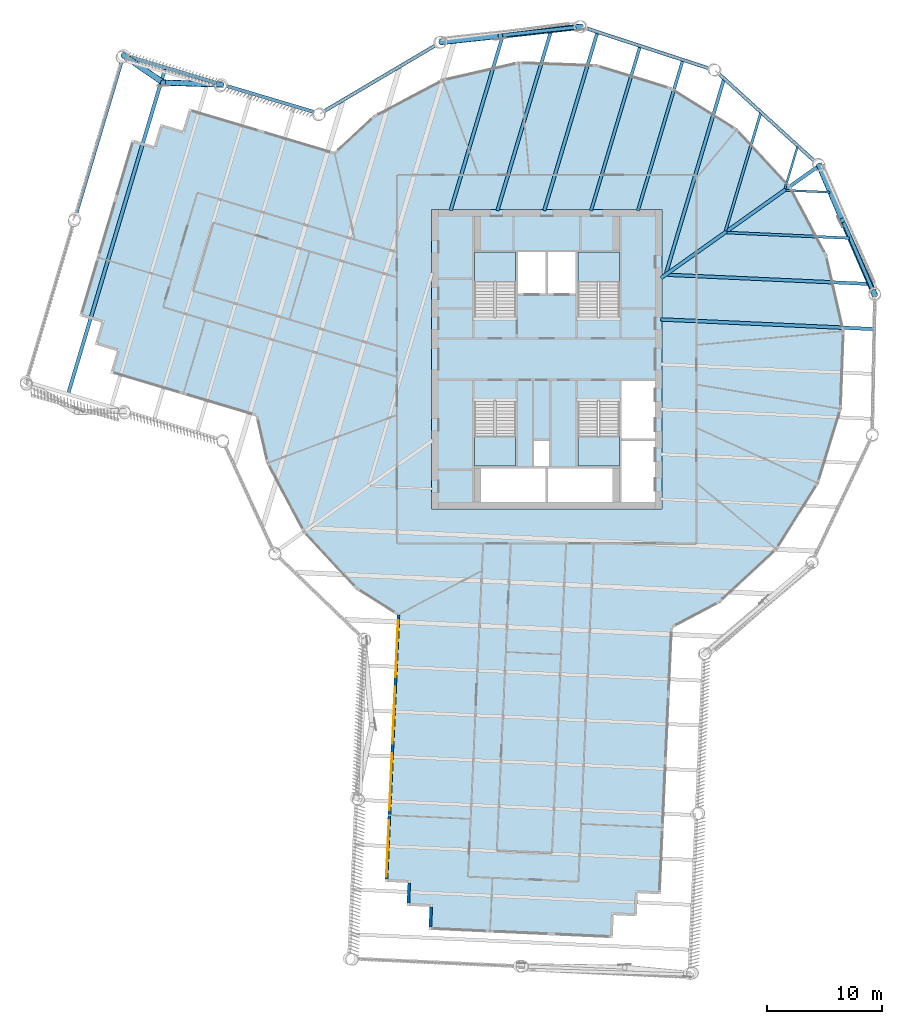
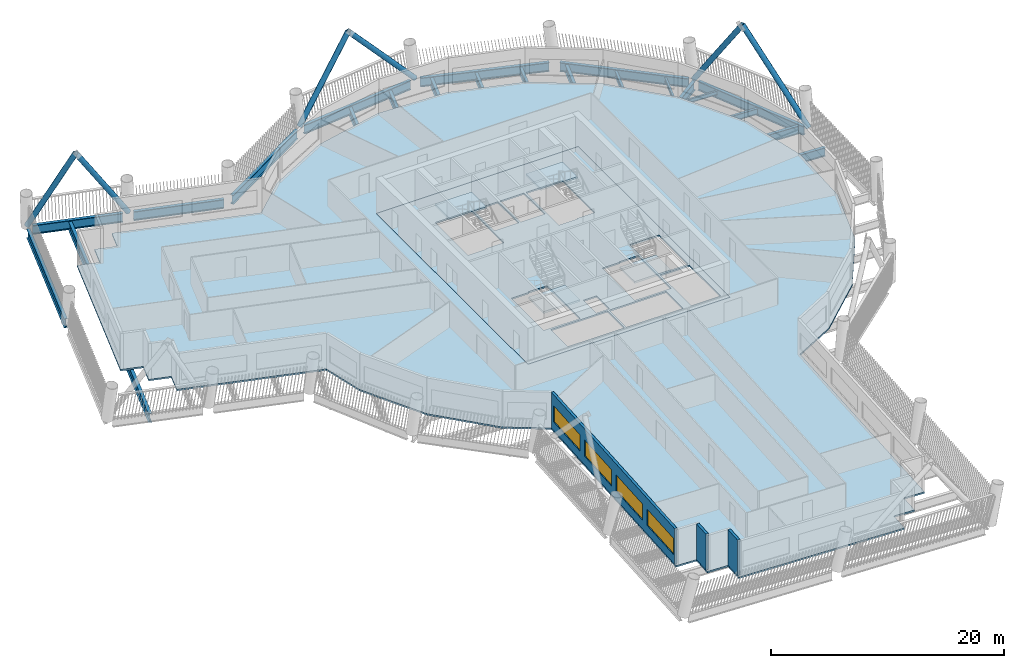
# One storey, part 2 of 24: 22 beams, 6 members, 6 slabs, 4 windows, 3 walls, 4 openings, 4 elements without a shape of their own.
"""IFC4 building model written with IfcOpenShell, lengths in metres."""

from ifc_helpers import new_model, si_unit, direction, frame, frame_2d, origin, origin_2d, place, context, subcontext, project, spatial, polyline, rectangle, hollow_circle, i_section, outline, extrude, material, layer, layer_set, material_profile, profile_set, type_object, element, fill, aggregate, save


model = new_model("IFC4")

# Units and contexts
model_context = context("Model", 3, precision=1e-05, world=origin(), true_north=direction((0.0, 1.0)))
body_context = subcontext(model_context, "Body", "Model", "MODEL_VIEW")
ifc_project = project(units=[si_unit("LENGTHUNIT", "METRE"), si_unit("AREAUNIT", "SQUARE_METRE"), si_unit("VOLUMEUNIT", "CUBIC_METRE"), si_unit("PLANEANGLEUNIT", "RADIAN"), si_unit("MASSUNIT", "GRAM", prefix="KILO")], contexts=[model_context])

# Site, building, storey
site_placement = place(None, origin())
site = spatial("IfcSite", under=ifc_project, at=site_placement, CompositionType="ELEMENT")
building_placement = place(site_placement, origin())
building = spatial("IfcBuilding", under=site, at=building_placement, Name="Tarsis Ring Headquarters", CompositionType="ELEMENT")
storey_placement = place(building_placement, frame((0.0, 0.0, 216.0)))
storey = spatial("IfcBuildingStorey", under=building, at=storey_placement, Name="L50", CompositionType="ELEMENT", Elevation=216.0)

# Beams
ifc_material_1 = material(Name="Structural steel S355", Category="steel")
ifc_material_profile_1 = material_profile(ifc_material_1, i_section(OverallWidth=0.177734375, OverallDepth=0.406494140625, WebThickness=0.0078125, FlangeThickness=0.0126953125, at=origin_2d()), Name="W16x40")
ifc_profile_set_1 = profile_set([ifc_material_profile_1], Name="Structural steel S355")
beam_type_1 = type_object("IfcBeamType", Name="FB Floor beam W16x40", PredefinedType="JOIST", material=ifc_profile_set_1)
beam_1_placement = place(storey_placement, frame((20.8056640625, 14.67138671875, -0.36328125), z_axis=(0.998970655742, -0.045361095286, 0.0), x_axis=(0.045361095286, 0.998970655742, 0.0)))
element("IfcBeam", 1, at=beam_1_placement, inside=storey, type_object=beam_type_1, Name="Floor beam FB1", PredefinedType="JOIST", context=body_context, shape_type="SweptSolid", body=[
    extrude(i_section(OverallWidth=0.177734375, OverallDepth=0.406494140625, WebThickness=0.0078125, FlangeThickness=0.0126953125, at=origin_2d()), origin(), (0.0, 0.0, 1.0), 3.80517578125),
])
beam_2_placement = place(storey_placement, frame((21.78466796875, 18.47021484375, -0.36328125), z_axis=(-0.285693487766, -0.958321048004, 0.0), x_axis=(0.958321048004, -0.285693487766, 0.0)))
element("IfcBeam", 2, at=beam_2_placement, inside=storey, type_object=beam_type_1, Name="Floor beam FB1", PredefinedType="JOIST", context=body_context, shape_type="SweptSolid", body=[
    extrude(i_section(OverallWidth=0.177734375, OverallDepth=0.406494140625, WebThickness=0.0078125, FlangeThickness=0.0126953125, at=origin_2d()), origin(), (0.0, 0.0, 1.0), 3.805419921875),
])
ifc_material_profile_2 = material_profile(ifc_material_1, i_section(OverallWidth=0.228271484375, OverallDepth=0.607177734375, WebThickness=0.01123046875, FlangeThickness=0.017333984375, at=origin_2d()), Name="W24x76")
ifc_profile_set_2 = profile_set([ifc_material_profile_2], Name="Structural steel S355")
beam_type_2 = type_object("IfcBeamType", Name="FB Floor beam W24x76", PredefinedType="JOIST", material=ifc_profile_set_2)
beam_3_placement = place(storey_placement, frame((15.64208984375, 11.001708984375, -0.463623046875), z_axis=(0.998970894463, -0.045355837729, 0.0), x_axis=(0.045355837729, 0.998970894463, 0.0)))
element("IfcBeam", 3, at=beam_3_placement, inside=storey, type_object=beam_type_2, Name="Floor beam FB4", PredefinedType="JOIST", context=body_context, shape_type="SweptSolid", body=[
    extrude(i_section(OverallWidth=0.228271484375, OverallDepth=0.607177734375, WebThickness=0.01123046875, FlangeThickness=0.017333984375, at=origin_2d()), origin(), (0.0, 0.0, 1.0), 10.684814453125),
])
beam_4_placement = place(storey_placement, frame((18.58642578125, 21.393310546875, -0.463623046875), z_axis=(-0.28569136779, -0.958321680006, 0.0), x_axis=(0.958321680006, -0.28569136779, 0.0)))
element("IfcBeam", 4, at=beam_4_placement, inside=storey, type_object=beam_type_2, Name="Floor beam FB4", PredefinedType="JOIST", context=body_context, shape_type="SweptSolid", body=[
    extrude(i_section(OverallWidth=0.228271484375, OverallDepth=0.607177734375, WebThickness=0.01123046875, FlangeThickness=0.017333984375, at=origin_2d()), origin(), (0.0, 0.0, 1.0), 10.6845703125),
])
ifc_material_profile_3 = material_profile(ifc_material_1, i_section(OverallWidth=0.2666015625, OverallDepth=0.7568359375, WebThickness=0.013916015625, FlangeThickness=0.019287109375, at=origin_2d()), Name="W30x108")
ifc_profile_set_3 = profile_set([ifc_material_profile_3], Name="Structural steel S355")
beam_type_3 = type_object("IfcBeamType", Name="FB Floor beam W30x108", PredefinedType="JOIST", material=ifc_profile_set_3)
beam_5_placement = place(storey_placement, frame((11.807861328125, 25.957275390625, -0.538330078125), z_axis=(-0.285689900664, -0.958322117379, 0.0), x_axis=(0.958322117379, -0.285689900664, 0.0)))
element("IfcBeam", 5, at=beam_5_placement, inside=storey, type_object=beam_type_3, Name="Floor beam FB6", PredefinedType="JOIST", context=body_context, shape_type="SweptSolid", body=[
    extrude(i_section(OverallWidth=0.2666015625, OverallDepth=0.7568359375, WebThickness=0.013916015625, FlangeThickness=0.019287109375, at=origin_2d()), origin(), (0.0, 0.0, 1.0), 13.620849609375),
])
beam_6_placement = place(storey_placement, frame((8.099365234375, 27.16845703125, -0.538330078125), z_axis=(-0.285690699387, -0.958321879268, 0.0), x_axis=(0.958321879268, -0.285690699387, 0.0)))
element("IfcBeam", 6, at=beam_6_placement, inside=storey, type_object=beam_type_3, Name="Floor beam FB6", PredefinedType="JOIST", context=body_context, shape_type="SweptSolid", body=[
    extrude(i_section(OverallWidth=0.2666015625, OverallDepth=0.7568359375, WebThickness=0.013916015625, FlangeThickness=0.019287109375, at=origin_2d()), origin(), (0.0, 0.0, 1.0), 14.884765625),
])
ifc_material_profile_4 = material_profile(ifc_material_1, i_section(OverallWidth=0.2919921875, OverallDepth=0.835693359375, WebThickness=0.013916015625, FlangeThickness=0.018798828125, at=origin_2d()), Name="W33x118")
ifc_profile_set_4 = profile_set([ifc_material_profile_4], Name="Structural steel S355")
beam_type_4 = type_object("IfcBeamType", Name="FB Floor beam W33x118", PredefinedType="JOIST", material=ifc_profile_set_4)
beam_7_placement = place(storey_placement, frame((10.478515625, 7.332275390625, -0.577880859375), z_axis=(0.998970287702, -0.045369199781, 0.0), x_axis=(0.045369199781, 0.998970287702, 0.0)))
element("IfcBeam", 7, at=beam_7_placement, inside=storey, type_object=beam_type_4, Name="Floor beam FB7", PredefinedType="JOIST", context=body_context, shape_type="SweptSolid", body=[
    extrude(i_section(OverallWidth=0.2919921875, OverallDepth=0.835693359375, WebThickness=0.013916015625, FlangeThickness=0.018798828125, at=origin_2d()), origin(), (0.0, 0.0, 1.0), 17.564208984375),
])
beam_8_placement = place(storey_placement, frame((15.388427734375, 24.316650390625, -0.577880859375), z_axis=(-0.285696062697, -0.958320280365, 0.0), x_axis=(0.958320280365, -0.285696062697, 0.0)))
element("IfcBeam", 8, at=beam_8_placement, inside=storey, type_object=beam_type_4, Name="Floor beam FB7", PredefinedType="JOIST", context=body_context, shape_type="SweptSolid", body=[
    extrude(i_section(OverallWidth=0.2919921875, OverallDepth=0.835693359375, WebThickness=0.013916015625, FlangeThickness=0.018798828125, at=origin_2d()), origin(), (0.0, 0.0, 1.0), 17.564453125),
])
beam_9_placement = place(storey_placement, frame((4.390625, 28.379638671875, -0.577880859375), z_axis=(-0.285677488604, -0.958325817509, 0.0), x_axis=(0.958325817509, -0.285677488604, 0.0)))
element("IfcBeam", 9, at=beam_9_placement, inside=storey, type_object=beam_type_4, Name="Floor beam FB7", PredefinedType="JOIST", context=body_context, shape_type="SweptSolid", body=[
    extrude(i_section(OverallWidth=0.2919921875, OverallDepth=0.835693359375, WebThickness=0.013916015625, FlangeThickness=0.018798828125, at=origin_2d()), origin(), (0.0, 0.0, 1.0), 16.148681640625),
])
beam_10_placement = place(storey_placement, frame((0.369873046875, 28.54296875, -0.577880859375), z_axis=(-0.285685329847, -0.958323479995, 0.0), x_axis=(0.958323479995, -0.285685329847, 0.0)))
element("IfcBeam", 10, at=beam_10_placement, inside=storey, type_object=beam_type_4, Name="Floor beam FB7", PredefinedType="JOIST", context=body_context, shape_type="SweptSolid", body=[
    extrude(i_section(OverallWidth=0.2919921875, OverallDepth=0.835693359375, WebThickness=0.013916015625, FlangeThickness=0.018798828125, at=origin_2d()), origin(), (0.0, 0.0, 1.0), 16.319091796875),
])
beam_11_placement = place(storey_placement, frame((-3.837158203125, 28.081787109375, -0.577880859375), z_axis=(-0.285687153803, -0.958322936255, 0.0), x_axis=(0.958322936255, -0.285687153803, 0.0)))
element("IfcBeam", 11, at=beam_11_placement, inside=storey, type_object=beam_type_4, Name="Floor beam FB7", PredefinedType="JOIST", context=body_context, shape_type="SweptSolid", body=[
    extrude(i_section(OverallWidth=0.2919921875, OverallDepth=0.835693359375, WebThickness=0.013916015625, FlangeThickness=0.018798828125, at=origin_2d()), origin(), (0.0, 0.0, 1.0), 15.837890625),
])
ifc_material_profile_5 = material_profile(ifc_material_1, i_section(OverallWidth=0.3046875, OverallDepth=0.904296875, WebThickness=0.01513671875, FlangeThickness=0.02001953125, at=origin_2d()), Name="W36x135")
ifc_profile_set_5 = profile_set([ifc_material_profile_5], Name="Structural steel S355")
beam_type_5 = type_object("IfcBeamType", Name="FB Floor beam W36x135", PredefinedType="JOIST", material=ifc_profile_set_5)
beam_12_placement = place(storey_placement, frame((9.900146484375, 3.454345703125, -0.612060546875), z_axis=(0.998970768332, -0.045358615705, 0.0), x_axis=(0.045358615705, 0.998970768332, 0.0)))
element("IfcBeam", 12, at=beam_12_placement, inside=storey, type_object=beam_type_5, Name="Floor beam FB8", PredefinedType="JOIST", context=body_context, shape_type="SweptSolid", body=[
    extrude(i_section(OverallWidth=0.3046875, OverallDepth=0.904296875, WebThickness=0.01513671875, FlangeThickness=0.02001953125, at=origin_2d()), origin(), (0.0, 0.0, 1.0), 18.515625),
])
ifc_material_profile_6 = material_profile(ifc_material_1, i_section(OverallWidth=0.309814453125, OverallDepth=0.949951171875, WebThickness=0.0244140625, FlangeThickness=0.0439453125, at=origin_2d()), Name="W36x256")
ifc_profile_set_6 = profile_set([ifc_material_profile_6], Name="Structural steel S355")
beam_type_6 = type_object("IfcBeamType", Name="FB Floor beam W36x256", PredefinedType="JOIST", material=ifc_profile_set_6)
beam_13_placement = place(storey_placement, frame((-33.162109375, 25.2724609375, -0.635009765625), z_axis=(-0.285688682276, -0.958322480598, 0.0), x_axis=(0.958322480598, -0.285688682276, 0.0)))
element("IfcBeam", 13, at=beam_13_placement, inside=storey, type_object=beam_type_6, Name="Floor beam FB11", PredefinedType="JOIST", context=body_context, shape_type="SweptSolid", body=[
    extrude(i_section(OverallWidth=0.309814453125, OverallDepth=0.949951171875, WebThickness=0.0244140625, FlangeThickness=0.0439453125, at=origin_2d()), origin(), (0.0, 0.0, 1.0), 29.490234375),
])
beam_type_7 = type_object("IfcBeamType", Name="FB Floor beam W36x256 spine", PredefinedType="BEAM", material=ifc_profile_set_6)
beam_14_placement = place(storey_placement, frame((23.630615234375, 16.79345703125, -0.635009765625), z_axis=(-0.815123601212, -0.579287074555, 0.0), x_axis=(0.579287074555, -0.815123601212, 0.0)))
element("IfcBeam", 14, at=beam_14_placement, inside=storey, type_object=beam_type_7, Name="Floor beam SB11", PredefinedType="BEAM", context=body_context, shape_type="SweptSolid", body=[
    extrude(i_section(OverallWidth=0.309814453125, OverallDepth=0.949951171875, WebThickness=0.0244140625, FlangeThickness=0.0439453125, at=origin_2d()), origin(), (0.0, 0.0, 1.0), 16.822265625),
])

# Members
ifc_material_profile_7 = material_profile(ifc_material_1, hollow_circle(Radius=0.25390625, WallThickness=0.02001953125, at=origin_2d()), Name="CHS 508x20")
ifc_profile_set_7 = profile_set([ifc_material_profile_7], Name="Structural steel S355")
member_type = type_object("IfcMemberType", Name="XD X brace CHS 508x20", PredefinedType="BRACE", material=ifc_profile_set_7)
member_1_placement = place(storey_placement, frame((28.50927734375, 5.5712890625, 0.0), z_axis=(-0.266390048383, 0.616816640616, 0.740657528134), x_axis=(-0.918042088689, -0.396482942125, 0.0)))
element("IfcMember", 15, at=member_1_placement, inside=storey, type_object=member_type, Name="X brace XD2", PredefinedType="BRACE", context=body_context, shape_type="SweptSolid", body=[
    extrude(hollow_circle(Radius=0.25390625, WallThickness=0.02001953125, at=origin_2d()), origin(), (0.0, 0.0, 1.0), 10.53125),
])
member_2_placement = place(storey_placement, frame((23.67822265625, 16.8271484375, 0.0), z_axis=(0.216423789329, -0.508571124569, 0.833376358356), x_axis=(0.920147761649, 0.391571317556, 0.0)))
element("IfcMember", 16, at=member_2_placement, inside=storey, type_object=member_type, Name="X brace XD2", PredefinedType="BRACE", context=body_context, shape_type="SweptSolid", body=[
    extrude(hollow_circle(Radius=0.25390625, WallThickness=0.02001953125, at=origin_2d()), origin(), (0.0, 0.0, 1.0), 9.359619140625),
])
member_3_placement = place(storey_placement, frame((2.99365234375, 28.893798828125, 0.0), z_axis=(-0.667720912249, -0.074716678824, 0.740652550965), x_axis=(0.111204029276, -0.993797597035, 0.0)))
element("IfcMember", 17, at=member_3_placement, inside=storey, type_object=member_type, Name="X brace XD2", PredefinedType="BRACE", context=body_context, shape_type="SweptSolid", body=[
    extrude(hollow_circle(Radius=0.25390625, WallThickness=0.02001953125, at=origin_2d()), origin(), (0.0, 0.0, 1.0), 10.53125),
])
member_4_placement = place(storey_placement, frame((-9.182373046875, 27.55908203125, 0.0), z_axis=(0.549600824831, 0.058533661648, 0.833374311938), x_axis=(-0.105903214837, 0.994376442343, 0.0)))
element("IfcMember", 18, at=member_4_placement, inside=storey, type_object=member_type, Name="X brace XD2", PredefinedType="BRACE", context=body_context, shape_type="SweptSolid", body=[
    extrude(hollow_circle(Radius=0.25390625, WallThickness=0.02001953125, at=origin_2d()), origin(), (0.0, 0.0, 1.0), 9.359619140625),
])
member_5_placement = place(storey_placement, frame((-28.2568359375, 23.867431640625, 0.0), z_axis=(-0.54637587969, 0.018005479414, 0.837346523731), x_axis=(-0.032936502401, -0.999457446222, 0.0)))
element("IfcMember", 19, at=member_5_placement, inside=storey, type_object=member_type, Name="X brace XD2", PredefinedType="BRACE", context=body_context, shape_type="SweptSolid", body=[
    extrude(hollow_circle(Radius=0.25390625, WallThickness=0.02001953125, at=origin_2d()), origin(), (0.0, 0.0, 1.0), 9.315185546875),
])
member_6_placement = place(storey_placement, frame((-36.7880859375, 26.41064453125, 0.0), z_axis=(0.388871748666, -0.268406193837, 0.881326771521), x_axis=(0.568046694555, 0.822996326119, 0.0)))
element("IfcMember", 20, at=member_6_placement, inside=storey, type_object=member_type, Name="X brace XD2", PredefinedType="BRACE", context=body_context, shape_type="SweptSolid", body=[
    extrude(hollow_circle(Radius=0.25390625, WallThickness=0.02001953125, at=origin_2d()), origin(), (0.0, 0.0, 1.0), 8.850341796875),
])

# Beams
beam_type_8 = type_object("IfcBeamType", Name="XG Ring girder W36x256", PredefinedType="BEAM", material=ifc_profile_set_6)
for number, where, z_axis, x_axis, name in (
    (21, (28.31982421875, 6.012451171875, -0.47509765625), (-0.394386461305, 0.918944676865, 0.0), (-0.918944676865, -0.394386461305, 0.0), "Ring girder XG2"),
    (22, (23.323974609375, 17.151123046875, -0.47509765625), (-0.738121120276, 0.674668223502, 0.0), (-0.674668223502, -0.738121120276, 0.0), "Ring girder XG2"),
    (23, (14.180908203125, 25.240234375, -0.47509765625), (-0.950588394474, 0.310454029273, 0.0), (-0.310454029273, -0.950588394474, 0.0), "Ring girder XG2"),
):
    element("IfcBeam", number, at=place(storey_placement, frame(where, z_axis=z_axis, x_axis=x_axis)), inside=storey, type_object=beam_type_8, Name=name, PredefinedType="BEAM", context=body_context, shape_type="SweptSolid", body=[
        extrude(i_section(OverallWidth=0.309814453125, OverallDepth=0.949951171875, WebThickness=0.0244140625, FlangeThickness=0.0439453125, at=origin_2d()), origin(), (0.0, 0.0, 1.0), 11.288818359375),
    ])
beam_15_placement = place(storey_placement, frame((2.516357421875, 28.841552734375, -0.47509765625), z_axis=(-0.994044084643, -0.10897870336, 0.0), x_axis=(0.10897870336, -0.994044084643, 0.0)))
element("IfcBeam", 24, at=beam_15_placement, inside=storey, type_object=beam_type_8, Name="Ring girder XG2", PredefinedType="BEAM", context=body_context, shape_type="SweptSolid", body=[
    extrude(i_section(OverallWidth=0.309814453125, OverallDepth=0.949951171875, WebThickness=0.0244140625, FlangeThickness=0.0439453125, at=origin_2d()), origin(), (0.0, 0.0, 1.0), 11.28857421875),
])
beam_16_placement = place(storey_placement, frame((-9.595458984375, 27.314697265625, -0.47509765625), z_axis=(-0.860748227815, -0.509030930605, 0.0), x_axis=(0.509030930605, -0.860748227815, 0.0)))
element("IfcBeam", 25, at=beam_16_placement, inside=storey, type_object=beam_type_8, Name="Ring girder XG2", PredefinedType="BEAM", context=body_context, shape_type="SweptSolid", body=[
    extrude(i_section(OverallWidth=0.309814453125, OverallDepth=0.949951171875, WebThickness=0.0244140625, FlangeThickness=0.0439453125, at=origin_2d()), origin(), (0.0, 0.0, 1.0), 11.288818359375),
])
for number, where, z_axis, x_axis, name in (
    (26, (-20.185546875, 21.461181640625, -0.47509765625), (-0.958319806725, 0.285697651442, 0.0), (-0.285697651442, -0.958319806725, 0.0), "Ring girder XG2"),
    (27, (-28.716796875, 24.004638671875, -0.47509765625), (-0.958328222681, 0.285669420156, 0.0), (-0.285669420156, -0.958328222681, 0.0), "Ring girder XG2"),
):
    element("IfcBeam", number, at=place(storey_placement, frame(where, z_axis=z_axis, x_axis=x_axis)), inside=storey, type_object=beam_type_8, Name=name, PredefinedType="BEAM", context=body_context, shape_type="SweptSolid", body=[
        extrude(i_section(OverallWidth=0.309814453125, OverallDepth=0.949951171875, WebThickness=0.0244140625, FlangeThickness=0.0439453125, at=origin_2d()), origin(), (0.0, 0.0, 1.0), 7.942138671875),
    ])
beam_17_placement = place(storey_placement, frame((-36.925048828125, 25.95068359375, -0.47509765625), z_axis=(-0.285699967033, -0.958319116389, 0.0), x_axis=(0.958319116389, -0.285699967033, 0.0)))
element("IfcBeam", 28, at=beam_17_placement, inside=storey, type_object=beam_type_8, Name="Ring girder XG2", PredefinedType="BEAM", context=body_context, shape_type="SweptSolid", body=[
    extrude(i_section(OverallWidth=0.309814453125, OverallDepth=0.949951171875, WebThickness=0.0244140625, FlangeThickness=0.0439453125, at=origin_2d()), origin(), (0.0, 0.0, 1.0), 13.840087890625),
])

# Slab
ifc_material_2 = material(Name="Concrete C40/50", Category="concrete")
ifc_layer_1 = layer(ifc_material_2, 0.159912109375)
ifc_layer_set_1 = layer_set([ifc_layer_1], Name="Core floor slab 160 C40/50")
slab_type_1 = type_object("IfcSlabType", Name="Core floor slab 160 C40/50", PredefinedType="FLOOR", material=ifc_layer_set_1)
slab_1_placement = place(storey_placement, frame((0.0, 0.0, -0.159912109375)))
element("IfcSlab", 29, at=slab_1_placement, inside=storey, type_object=slab_type_1, Name="L50 core floor slab", PredefinedType="FLOOR", context=body_context, shape_type="SweptSolid", body=[
    extrude(outline(polyline([(-10.0, -13.0), (10.0, -13.0), (10.0, 13.0), (-10.0, 13.0), (-10.0, -13.0)]), holes=[polyline([(-2.5, 5.699951171875), (-0.10009765625, 5.699951171875), (-0.10009765625, 9.300048828125), (-2.5, 9.300048828125), (-2.5, 5.699951171875)]), polyline([(0.10009765625, 5.699951171875), (2.5, 5.699951171875), (2.5, 9.300048828125), (0.10009765625, 9.300048828125), (0.10009765625, 5.699951171875)]), polyline([(6.5, -12.39990234375), (9.39990234375, -12.39990234375), (9.39990234375, -7.10009765625), (6.5, -7.10009765625), (6.5, -12.39990234375)]), polyline([(6.5, -6.89990234375), (9.39990234375, -6.89990234375), (9.39990234375, -1.89990234375), (6.5, -1.89990234375), (6.5, -6.89990234375)]), polyline([(-5.699951171875, -12.39990234375), (-0.10009765625, -12.39990234375), (-0.10009765625, -9.5), (-5.699951171875, -9.5), (-5.699951171875, -12.39990234375)]), polyline([(0.10009765625, -12.39990234375), (5.699951171875, -12.39990234375), (5.699951171875, -9.5), (0.10009765625, -9.5), (0.10009765625, -12.39990234375)]), polyline([(-1.10009765625, -9.300048828125), (0.199951171875, -9.300048828125), (0.199951171875, -7.10009765625), (-1.10009765625, -7.10009765625), (-1.10009765625, -9.300048828125)]), polyline([(-2.699951171875, 3.760009765625), (-2.699951171875, 9.300048828125), (-6.300048828125, 9.300048828125), (-6.300048828125, 3.659912109375), (-4.4599609375, 3.659912109375), (-4.4599609375, 3.760009765625), (-2.699951171875, 3.760009765625)]), polyline([(6.300048828125, 3.760009765625), (6.300048828125, 9.300048828125), (2.699951171875, 9.300048828125), (2.699951171875, 3.659912109375), (4.5400390625, 3.659912109375), (4.5400390625, 3.760009765625), (6.300048828125, 3.760009765625)]), polyline([(-6.300048828125, -3.760009765625), (-6.300048828125, -9.300048828125), (-2.699951171875, -9.300048828125), (-2.699951171875, -3.659912109375), (-4.5400390625, -3.659912109375), (-4.5400390625, -3.760009765625), (-6.300048828125, -3.760009765625)]), polyline([(2.699951171875, -3.760009765625), (2.699951171875, -9.300048828125), (6.300048828125, -9.300048828125), (6.300048828125, -3.659912109375), (4.4599609375, -3.659912109375), (4.4599609375, -3.760009765625), (2.699951171875, -3.760009765625)])]), origin(), (0.0, 0.0, 1.0), 0.159912109375),
])

# Stair, slab
ifc_material_3 = material(Name="Core stair 1760")
stair_type = type_object("IfcStairType", Name="Core stair 1760", PredefinedType="HALF_TURN_STAIR", material=ifc_material_3)
stair_1_placement = place(storey_placement, origin())
stair_1 = element("IfcStair", 30, at=stair_1_placement, inside=storey, type_object=stair_type, Name="L50 Firefighting stair", PredefinedType="HALF_TURN_STAIR")
ifc_layer_2 = layer(ifc_material_2, 0.199951171875)
ifc_layer_set_2 = layer_set([ifc_layer_2], Name="Core stair landing 200")
slab_type_2 = type_object("IfcSlabType", Name="Core stair landing 200", PredefinedType="LANDING", material=ifc_layer_set_2)
slab_2_placement = place(storey_placement, frame((0.0, 0.0, 1.75)))
slab_2 = element("IfcSlab", 31, at=slab_2_placement, type_object=slab_type_2, Name="Stair ST1 landing 1", PredefinedType="LANDING", context=body_context, shape_type="SweptSolid", body=[
    extrude(outline(polyline([(-2.699951171875, 6.739990234375), (-2.699951171875, 9.300048828125), (-6.300048828125, 9.300048828125), (-6.300048828125, 6.739990234375), (-2.699951171875, 6.739990234375)])), origin(), (0.0, 0.0, 1.0), 0.199951171875),
])
aggregate(stair_1, [slab_2])

stair_2_placement = place(storey_placement, origin())
stair_2 = element("IfcStair", 32, at=stair_2_placement, inside=storey, type_object=stair_type, Name="L50 Exit stair B", PredefinedType="HALF_TURN_STAIR")
slab_3_placement = place(storey_placement, frame((0.0, 0.0, 1.75)))
slab_3 = element("IfcSlab", 33, at=slab_3_placement, type_object=slab_type_2, Name="Stair ST2 landing 1", PredefinedType="LANDING", context=body_context, shape_type="SweptSolid", body=[
    extrude(outline(polyline([(6.300048828125, 6.739990234375), (6.300048828125, 9.300048828125), (2.699951171875, 9.300048828125), (2.699951171875, 6.739990234375), (6.300048828125, 6.739990234375)])), origin(), (0.0, 0.0, 1.0), 0.199951171875),
])
aggregate(stair_2, [slab_3])

stair_3_placement = place(storey_placement, origin())
stair_3 = element("IfcStair", 34, at=stair_3_placement, inside=storey, type_object=stair_type, Name="L50 Exit stair C", PredefinedType="HALF_TURN_STAIR")
slab_4_placement = place(storey_placement, frame((0.0, 0.0, 1.75)))
slab_4 = element("IfcSlab", 35, at=slab_4_placement, type_object=slab_type_2, Name="Stair ST3 landing 1", PredefinedType="LANDING", context=body_context, shape_type="SweptSolid", body=[
    extrude(outline(polyline([(-6.300048828125, -6.739990234375), (-6.300048828125, -9.300048828125), (-2.699951171875, -9.300048828125), (-2.699951171875, -6.739990234375), (-6.300048828125, -6.739990234375)])), origin(), (0.0, 0.0, 1.0), 0.199951171875),
])
aggregate(stair_3, [slab_4])

stair_4_placement = place(storey_placement, origin())
stair_4 = element("IfcStair", 36, at=stair_4_placement, inside=storey, type_object=stair_type, Name="L50 Exit stair D", PredefinedType="HALF_TURN_STAIR")
slab_5_placement = place(storey_placement, frame((0.0, 0.0, 1.75)))
slab_5 = element("IfcSlab", 37, at=slab_5_placement, type_object=slab_type_2, Name="Stair ST4 landing 1", PredefinedType="LANDING", context=body_context, shape_type="SweptSolid", body=[
    extrude(outline(polyline([(2.699951171875, -6.739990234375), (2.699951171875, -9.300048828125), (6.300048828125, -9.300048828125), (6.300048828125, -6.739990234375), (2.699951171875, -6.739990234375)])), origin(), (0.0, 0.0, 1.0), 0.199951171875),
])
aggregate(stair_4, [slab_5])

# Slab
ifc_material_4 = material(Name="Concrete C35/45", Category="concrete")
ifc_layer_3 = layer(ifc_material_4, 0.159912109375)
ifc_layer_set_3 = layer_set([ifc_layer_3], Name="FS Composite floor slab 160")
slab_type_3 = type_object("IfcSlabType", Name="FS Composite floor slab 160", PredefinedType="FLOOR", material=ifc_layer_set_3)
slab_6_placement = place(storey_placement, frame((0.0, 0.0, -0.159912109375)))
element("IfcSlab", 38, at=slab_6_placement, inside=storey, type_object=slab_type_3, Name="Floor slab L50", PredefinedType="FLOOR", context=body_context, shape_type="SweptSolid", body=[
    extrude(outline(polyline([(-25.304931640625, -4.978271484375), (-24.369384765625, -9.06298828125), (-21.193359375, -15.061279296875), (-16.572998046875, -20.033447265625), (-13.023193359375, -22.26025390625), (-14.074462890625, -45.408203125), (-12.076416015625, -45.4990234375), (-12.167236328125, -47.4970703125), (-10.169189453125, -47.587646484375), (-10.260009765625, -49.585693359375), (5.7236328125, -50.3115234375), (5.814453125, -48.3134765625), (7.812255859375, -48.404296875), (7.903076171875, -46.40625), (9.90087890625, -46.4970703125), (10.951171875, -23.36962890625), (15.061279296875, -21.193359375), (20.033447265625, -16.572998046875), (23.64013671875, -10.8232421875), (25.635986328125, -4.3359375), (25.884521484375, 2.44677734375), (24.369384765625, 9.06298828125), (21.193359375, 15.061279296875), (16.572998046875, 20.033447265625), (10.8232421875, 23.64013671875), (4.3359375, 25.635986328125), (-2.44677734375, 25.884521484375), (-9.06298828125, 24.369384765625), (-15.061279296875, 21.193359375), (-18.46826171875, 18.027587890625), (-31.0712890625, 21.78466796875), (-31.642822265625, 19.867919921875), (-33.559326171875, 20.439453125), (-34.130859375, 18.522705078125), (-36.04736328125, 19.093994140625), (-40.618408203125, 3.760986328125), (-38.70166015625, 3.189697265625), (-39.273193359375, 1.27294921875), (-37.3564453125, 0.70166015625), (-37.927978515625, -1.215087890625), (-25.304931640625, -4.978271484375)]), holes=[polyline([(-10.0, -13.0), (-10.0, 13.0), (10.0, 13.0), (10.0, -13.0), (-10.0, -13.0)])]), origin(), (0.0, 0.0, 1.0), 0.159912109375),
])

# Wall, openings, windows
ifc_material_5 = material(Name="Terracotta clad insulated panel wall", Category="masonry")
ifc_layer_4 = layer(ifc_material_5, 0.25)
ifc_layer_set_4 = layer_set([ifc_layer_4], Name="Facade wall terracotta panel 250")
wall_type = type_object("IfcWallType", Name="Facade wall terracotta panel 250", PredefinedType="STANDARD", material=ifc_layer_set_4)
wall_placement = place(storey_placement, frame((-12.8984375, -22.265869140625, 0.0), z_axis=(0.0, 0.0, 1.0), x_axis=(-0.045362246249, -0.998970603479, 0.0)))
wall = element("IfcWall", 39, at=wall_placement, inside=storey, type_object=wall_type, Name="External wall L50-06", PredefinedType="STANDARD", context=body_context, shape_type="SweptSolid", body=[
    extrude(rectangle(XDim=22.922119140625, YDim=0.25, at=frame_2d((11.4609375, 0.0))), origin(), (0.0, 0.0, 1.0), 3.739990234375),
])
opening_1_placement = place(wall_placement, frame((0.42138671875, 0.0, 0.89990234375)))
opening_1 = element("IfcOpeningElement", 40, at=opening_1_placement, cuts=wall, Name="Opening WN05", PredefinedType="OPENING", context=body_context, shape_type="SweptSolid", body=[
    extrude(rectangle(XDim=4.949951171875, YDim=1.699951171875, at=frame_2d((2.47509765625, 0.85009765625))), frame((0.0, 0.135009765625, 0.0), z_axis=(0.0, -1.0, 0.0), x_axis=(1.0, 0.0, 0.0)), (0.0, 0.0, 1.0), 0.27001953125),
])
opening_2_placement = place(wall_placement, frame((6.214599609375, 0.0, 0.89990234375)))
opening_2 = element("IfcOpeningElement", 41, at=opening_2_placement, cuts=wall, Name="Opening WN05", PredefinedType="OPENING", context=body_context, shape_type="SweptSolid", body=[
    extrude(rectangle(XDim=4.949951171875, YDim=1.699951171875, at=frame_2d((2.47509765625, 0.85009765625))), frame((0.0, 0.135009765625, 0.0), z_axis=(0.0, -1.0, 0.0), x_axis=(1.0, 0.0, 0.0)), (0.0, 0.0, 1.0), 0.27001953125),
])
opening_3_placement = place(wall_placement, frame((12.007568359375, 0.0, 0.89990234375)))
opening_3 = element("IfcOpeningElement", 42, at=opening_3_placement, cuts=wall, Name="Opening WN05", PredefinedType="OPENING", context=body_context, shape_type="SweptSolid", body=[
    extrude(rectangle(XDim=4.949951171875, YDim=1.699951171875, at=frame_2d((2.47509765625, 0.85009765625))), frame((0.0, 0.135009765625, 0.0), z_axis=(0.0, -1.0, 0.0), x_axis=(1.0, 0.0, 0.0)), (0.0, 0.0, 1.0), 0.27001953125),
])
opening_4_placement = place(wall_placement, frame((17.800537109375, 0.0, 0.89990234375)))
opening_4 = element("IfcOpeningElement", 43, at=opening_4_placement, cuts=wall, Name="Opening WN05", PredefinedType="OPENING", context=body_context, shape_type="SweptSolid", body=[
    extrude(rectangle(XDim=4.949951171875, YDim=1.699951171875, at=frame_2d((2.47509765625, 0.85009765625))), frame((0.0, 0.135009765625, 0.0), z_axis=(0.0, -1.0, 0.0), x_axis=(1.0, 0.0, 0.0)), (0.0, 0.0, 1.0), 0.27001953125),
])
ifc_material_6 = material(Name="Aluminium framed double glazing", Category="aluminium")
window_type = type_object("IfcWindowType", Name="Facade window 4950 x 1700", PartitioningType="SINGLE_PANEL", PredefinedType="WINDOW", material=ifc_material_6)
window_1_placement = place(opening_1_placement, origin())
window_1 = element("IfcWindow", 44, at=window_1_placement, inside=storey, type_object=window_type, Name="Window L50-06.1", OverallHeight=1.699951171875, OverallWidth=4.949951171875, PartitioningType="SINGLE_PANEL", PredefinedType="WINDOW", context=body_context, shape_type="SweptSolid", body=[
    extrude(rectangle(XDim=4.949951171875, YDim=1.699951171875, at=frame_2d((2.47509765625, 0.85009765625))), frame((0.0, 0.030029296875, 0.0), z_axis=(0.0, -1.0, 0.0), x_axis=(1.0, 0.0, 0.0)), (0.0, 0.0, 1.0), 0.06005859375),
])
fill(opening_1, window_1)
window_2_placement = place(opening_2_placement, origin())
window_2 = element("IfcWindow", 45, at=window_2_placement, inside=storey, type_object=window_type, Name="Window L50-06.2", OverallHeight=1.699951171875, OverallWidth=4.949951171875, PartitioningType="SINGLE_PANEL", PredefinedType="WINDOW", context=body_context, shape_type="SweptSolid", body=[
    extrude(rectangle(XDim=4.949951171875, YDim=1.699951171875, at=frame_2d((2.47509765625, 0.85009765625))), frame((0.0, 0.030029296875, 0.0), z_axis=(0.0, -1.0, 0.0), x_axis=(1.0, 0.0, 0.0)), (0.0, 0.0, 1.0), 0.06005859375),
])
fill(opening_2, window_2)
window_3_placement = place(opening_3_placement, origin())
window_3 = element("IfcWindow", 46, at=window_3_placement, inside=storey, type_object=window_type, Name="Window L50-06.3", OverallHeight=1.699951171875, OverallWidth=4.949951171875, PartitioningType="SINGLE_PANEL", PredefinedType="WINDOW", context=body_context, shape_type="SweptSolid", body=[
    extrude(rectangle(XDim=4.949951171875, YDim=1.699951171875, at=frame_2d((2.47509765625, 0.85009765625))), frame((0.0, 0.030029296875, 0.0), z_axis=(0.0, -1.0, 0.0), x_axis=(1.0, 0.0, 0.0)), (0.0, 0.0, 1.0), 0.06005859375),
])
fill(opening_3, window_3)
window_4_placement = place(opening_4_placement, origin())
window_4 = element("IfcWindow", 47, at=window_4_placement, inside=storey, type_object=window_type, Name="Window L50-06.4", OverallHeight=1.699951171875, OverallWidth=4.949951171875, PartitioningType="SINGLE_PANEL", PredefinedType="WINDOW", context=body_context, shape_type="SweptSolid", body=[
    extrude(rectangle(XDim=4.949951171875, YDim=1.699951171875, at=frame_2d((2.47509765625, 0.85009765625))), frame((0.0, 0.030029296875, 0.0), z_axis=(0.0, -1.0, 0.0), x_axis=(1.0, 0.0, 0.0)), (0.0, 0.0, 1.0), 0.06005859375),
])
fill(opening_4, window_4)

# Walls
for number, where, z_axis, x_axis, name in (
    (48, (-11.951416015625, -45.504638671875, 0.0), (0.0, 0.0, 1.0), (-0.045477267403, -0.998965373849, 0.0), "External wall L50-08"),
    (49, (-10.04443359375, -47.59326171875, 0.0), (0.0, 0.0, 1.0), (-0.045338053773, -0.998971701741, 0.0), "External wall L50-10"),
):
    element("IfcWall", number, at=place(storey_placement, frame(where, z_axis=z_axis, x_axis=x_axis)), inside=storey, type_object=wall_type, Name=name, PredefinedType="STANDARD", context=body_context, shape_type="SweptSolid", body=[
        extrude(rectangle(XDim=1.75, YDim=0.25, at=frame_2d((0.875, 0.0))), origin(), (0.0, 0.0, 1.0), 3.739990234375),
    ])

save(model, "model.ifc")
